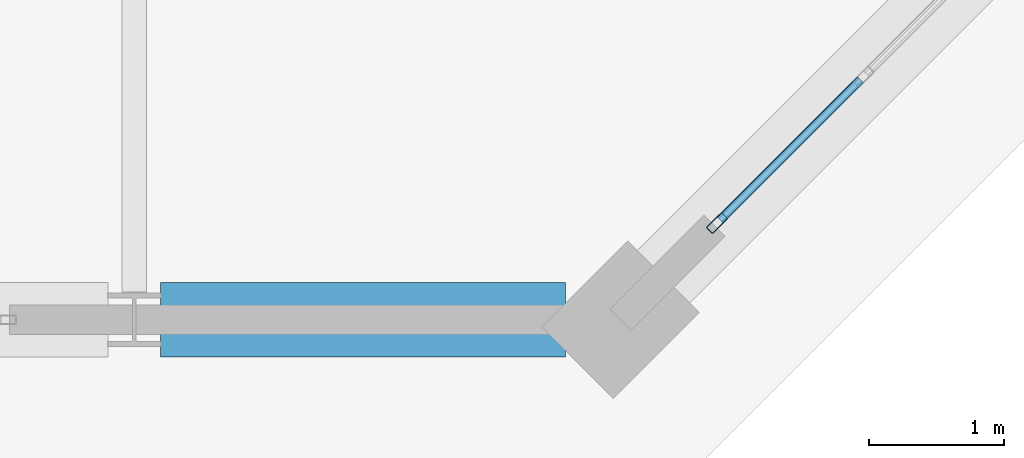
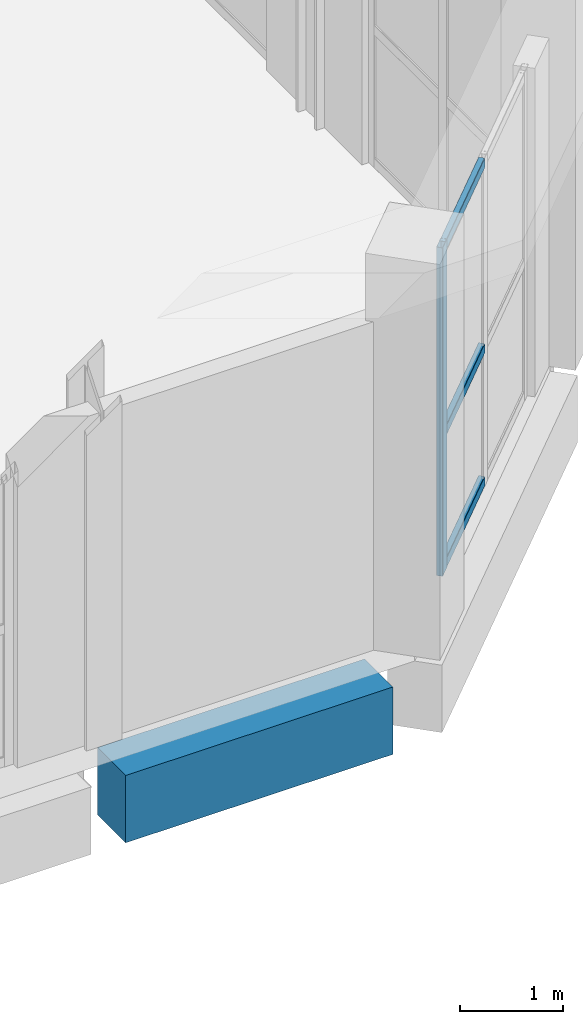
# One storey, part 18 of 36: 4 members, 1 beam, 1 element without a shape of its own.
"""IFC4 building model written with IfcOpenShell, lengths in metres."""

import ifcopenshell
import ifcopenshell.guid

model = None  # the IFC model being written
_history = None  # IfcOwnerHistory: only IFC2X3 demands one
_inside = {}  # id of a spatial element -> (the spatial element, [elements in it])
_under = {}  # id of a project, library or spatial element -> (it, [spatial elements below it])
_declared = {}  # id of a project -> (the project, [libraries it declares])
_typed = {}  # id of a type object -> (the type object, [elements of that type])
_made_of = {}  # id of a material, layer set ... -> (it, [elements and type objects made of it])


def new_model(schema):
    """Start an empty IFC model of exactly this schema.

    Asked for "IFC4X3", IfcOpenShell would pick the latest addendum, in which some entities
    have other attributes; the version numbers below select the first issue.
    IFC2X3 requires an IfcOwnerHistory on every rooted entity: one is made here for all.
    """
    global model, _history
    if schema == "IFC4X3":
        model = ifcopenshell.file(schema_version=(4, 3, 0, 0))
    else:
        model = ifcopenshell.file(schema=schema)
    _inside.clear()
    _under.clear()
    _declared.clear()
    _typed.clear()
    _made_of.clear()
    _history = None
    if model.schema == "IFC2X3":
        org = make("IfcOrganization", Name="unknown")
        user = make(
            "IfcPersonAndOrganization",
            ThePerson=make("IfcPerson", FamilyName="unknown"),
            TheOrganization=org,
        )
        app = make(
            "IfcApplication",
            ApplicationDeveloper=org,
            Version="unknown",
            ApplicationFullName="unknown",
            ApplicationIdentifier="unknown",
        )
        _history = make(
            "IfcOwnerHistory",
            OwningUser=user,
            OwningApplication=app,
            ChangeAction="ADDED",
            CreationDate=0,
        )
    return model


def make(cls, **values):
    """One entity of the class cls with the attributes given. An attribute that is None is left unset."""
    return model.create_entity(
        cls, **{name: value for name, value in values.items() if value is not None}
    )


def rooted(cls, **values):
    """An entity with a GlobalId (a new one), such as an element, a storey or a relation."""
    return make(cls, GlobalId=ifcopenshell.guid.new(), OwnerHistory=_history, **values)


def si_unit(unit_type, name, prefix=None):
    """IfcSIUnit, for example si_unit("LENGTHUNIT", "METRE", prefix="MILLI")."""
    return make("IfcSIUnit", UnitType=unit_type, Prefix=prefix, Name=name)


def assignment(units):
    """IfcUnitAssignment: the units of a project."""
    return None if units is None else make("IfcUnitAssignment", Units=units)


def point(xyz):
    """IfcCartesianPoint."""
    return None if xyz is None else make("IfcCartesianPoint", Coordinates=xyz)


def direction(xyz):
    """IfcDirection."""
    return None if xyz is None else make("IfcDirection", DirectionRatios=xyz)


def frame(location, z_axis=None, x_axis=None):
    """IfcAxis2Placement3D, a coordinate frame: its origin and axes. An axis left out is left unset."""
    return make(
        "IfcAxis2Placement3D",
        Location=point(location),
        Axis=direction(z_axis),
        RefDirection=direction(x_axis),
    )


def frame_2d(location, x_axis=None):
    """IfcAxis2Placement2D, a coordinate frame in the plane: its origin and x axis."""
    return make(
        "IfcAxis2Placement2D", Location=point(location), RefDirection=direction(x_axis)
    )


def origin():
    """The frame at (0, 0, 0) with its axes left unset."""
    return frame((0.0, 0.0, 0.0))


def origin_2d():
    """The frame at (0, 0) in the plane with its x axis left unset."""
    return frame_2d((0.0, 0.0))


def place(relative_to, where):
    """IfcLocalPlacement: puts the frame where relative to a parent placement (None: the world)."""
    return make(
        "IfcLocalPlacement", PlacementRelTo=relative_to, RelativePlacement=where
    )


def context(
    kind, dimensions, precision=None, world=None, true_north=None, identifier=None
):
    """IfcGeometricRepresentationContext, for example the 3D "Model" context."""
    return make(
        "IfcGeometricRepresentationContext",
        ContextIdentifier=identifier,
        ContextType=kind,
        CoordinateSpaceDimension=dimensions,
        Precision=precision,
        WorldCoordinateSystem=world,
        TrueNorth=true_north,
    )


def subcontext(parent, identifier, kind, view, scale=None):
    """IfcGeometricRepresentationSubContext, for example "Body" below "Model"."""
    return make(
        "IfcGeometricRepresentationSubContext",
        ContextIdentifier=identifier,
        ContextType=kind,
        ParentContext=parent,
        TargetScale=scale,
        TargetView=view,
    )


def project(units=None, contexts=None):
    """IfcProject with its units and contexts."""
    return rooted(
        "IfcProject",
        Name="project",
        RepresentationContexts=contexts,
        UnitsInContext=assignment(units),
    )


def spatial(cls, under=None, at=None, **own):
    """A site, building, storey or space (cls), placed at a placement, below another one or the project."""
    s = rooted(cls, ObjectPlacement=at, **own)
    if under is not None:
        _under.setdefault(under.id(), (under, []))[1].append(s)
    return s


def profile(cls, at=None, kind="AREA", **sizes):
    """A parametric profile (cls). Its sizes go by their IFC names, for example OverallWidth=200.0."""
    return make(cls, ProfileType=kind, Position=at, **sizes)


def rectangle(**sizes):
    """IfcRectangleProfileDef."""
    return profile("IfcRectangleProfileDef", **sizes)


def hollow_rectangle(**sizes):
    """IfcRectangleHollowProfileDef."""
    return profile("IfcRectangleHollowProfileDef", **sizes)


def extrude(swept, where, along, depth):
    """IfcExtrudedAreaSolid: the profile swept, set in the frame where, extruded along a direction by depth."""
    return make(
        "IfcExtrudedAreaSolid",
        SweptArea=swept,
        Position=where,
        ExtrudedDirection=direction(along),
        Depth=depth,
    )


def shape(context_of_items, identifier, shape_type, items):
    """IfcShapeRepresentation: the items that make up one representation, for example the "Body"."""
    return make(
        "IfcShapeRepresentation",
        ContextOfItems=context_of_items,
        RepresentationIdentifier=identifier,
        RepresentationType=shape_type,
        Items=items,
    )


def material(Name=None, Category=None):
    """IfcMaterial."""
    return make("IfcMaterial", Name=Name, Category=Category)


def layer(
    of_material, thickness, ventilated=None, Name=None, Category=None, Priority=None
):
    """IfcMaterialLayer: one layer of a wall or slab, of a material (None: an air gap)."""
    return make(
        "IfcMaterialLayer",
        Material=of_material,
        LayerThickness=thickness,
        IsVentilated=ventilated,
        Name=Name,
        Category=Category,
        Priority=Priority,
    )


def layer_set(layers, Name=None):
    """IfcMaterialLayerSet."""
    return make("IfcMaterialLayerSet", MaterialLayers=layers, LayerSetName=Name)


def material_profile(
    of_material, cross_section, Name=None, Category=None, Priority=None
):
    """IfcMaterialProfile: a cross section and its material."""
    return make(
        "IfcMaterialProfile",
        Name=Name,
        Material=of_material,
        Profile=cross_section,
        Priority=Priority,
        Category=Category,
    )


def profile_set(profiles, Name=None, composite=None):
    """IfcMaterialProfileSet."""
    return make(
        "IfcMaterialProfileSet",
        Name=Name,
        MaterialProfiles=profiles,
        CompositeProfile=composite,
    )


def made_of(thing, what):
    """Note that an element or type object is made of a material, layer set ...; save() writes the relation."""
    if what is not None:
        _made_of.setdefault(what.id(), (what, []))[1].append(thing)
    return thing


def type_object(cls, material=None, **own):
    """A type object (cls), such as IfcWallType, which elements share."""
    return made_of(rooted(cls, **own), material)


def element(
    cls,
    number,
    at=None,
    inside=None,
    cuts=None,
    type_object=None,
    material=None,
    context=None,
    identifier="Body",
    shape_type=None,
    held_by="IfcProductDefinitionShape",
    body=None,
    shapes=None,
    **own,
):
    """One element of the class cls, such as IfcWall. Its Tag is "e" and its number.

    at: its placement. inside: the storey or other place that contains it. cuts: it is an
    opening in that element (IfcRelVoidsElement). A single representation is given by context,
    identifier, shape_type and body (its items); several are given by shapes. held_by: the class
    of the entity that holds the representations. save() writes the other relations.
    """
    e = rooted(cls, Tag="e%d" % number, ObjectPlacement=at, **own)
    if body is not None:
        shapes = [shape(context, identifier, shape_type, body)]
    if shapes is not None:
        e.Representation = make(held_by, Representations=shapes)
    if inside is not None:
        _inside.setdefault(inside.id(), (inside, []))[1].append(e)
    if cuts is not None:
        rooted(
            "IfcRelVoidsElement", RelatingBuildingElement=cuts, RelatedOpeningElement=e
        )
    if type_object is not None:
        _typed.setdefault(type_object.id(), (type_object, []))[1].append(e)
    return made_of(e, material)


def aggregate(whole, parts):
    """IfcRelAggregates: a whole, such as a stair, and the parts it consists of."""
    return rooted("IfcRelAggregates", RelatingObject=whole, RelatedObjects=parts)


def save(model, path):
    """Write the relations noted so far, then the file.

    IfcRelAggregates (storeys below a building ...), IfcRelContainedInSpatialStructure (elements
    in a storey), IfcRelDefinesByType, IfcRelAssociatesMaterial and IfcRelDeclares: one each for
    every whole, place, type object, material and project.
    """
    for whole, parts in _under.values():
        aggregate(whole, parts)
    for where, things in _inside.values():
        rooted(
            "IfcRelContainedInSpatialStructure",
            RelatedElements=things,
            RelatingStructure=where,
        )
    for kind, things in _typed.values():
        rooted("IfcRelDefinesByType", RelatedObjects=things, RelatingType=kind)
    for what, things in _made_of.values():
        rooted("IfcRelAssociatesMaterial", RelatedObjects=things, RelatingMaterial=what)
    for by, libraries in _declared.values():
        rooted("IfcRelDeclares", RelatingContext=by, RelatedDefinitions=libraries)
    model.write(path)


model = new_model("IFC4")

# Units and contexts
model_context = context("Model", 3, precision=1e-05, world=origin(), true_north=direction((0.0, 1.0)))
body_context = subcontext(model_context, "Body", "Model", "MODEL_VIEW")
ifc_project = project(units=[si_unit("LENGTHUNIT", "METRE"), si_unit("AREAUNIT", "SQUARE_METRE"), si_unit("VOLUMEUNIT", "CUBIC_METRE"), si_unit("PLANEANGLEUNIT", "RADIAN"), si_unit("MASSUNIT", "GRAM", prefix="KILO")], contexts=[model_context])

# Site, building, storey
site_placement = place(None, origin())
site = spatial("IfcSite", under=ifc_project, at=site_placement, CompositionType="ELEMENT")
building_placement = place(site_placement, origin())
building = spatial("IfcBuilding", under=site, at=building_placement, Name="Kaelvorn Grand Hotel", CompositionType="ELEMENT")
storey_placement = place(building_placement, frame((0.0, 0.0, 305.699951171875)))
storey = spatial("IfcBuildingStorey", under=building, at=storey_placement, Name="L74", CompositionType="ELEMENT", Elevation=305.699951171875)

# Beam
ifc_material_1 = material(Name="Concrete C50/60", Category="concrete")
ifc_material_profile_1 = material_profile(ifc_material_1, rectangle(XDim=0.550048828125, YDim=0.800048828125, at=origin_2d()), Name="RC SPANDREL 550x800")
ifc_profile_set_1 = profile_set([ifc_material_profile_1], Name="Concrete C50/60")
beam_type = type_object("IfcBeamType", Name="BM-SP-550x800-C50", PredefinedType="SPANDREL", material=ifc_profile_set_1)
beam_placement = place(storey_placement, frame((67.9951171875, 7.0, -0.780029296875), z_axis=(1.0, 0.0, 0.0), x_axis=(0.0, 1.0, 0.0)))
element("IfcBeam", 1, at=beam_placement, inside=storey, type_object=beam_type, Name="L74 South Perimeter Spandrel 09", PredefinedType="SPANDREL", context=body_context, shape_type="SweptSolid", body=[
    extrude(rectangle(XDim=0.550048828125, YDim=0.800048828125, at=origin_2d()), origin(), (0.0, 0.0, 1.0), 3.0),
])

# Curtain wall, members
ifc_material_2 = material(Name="Anodised Aluminium", Category="aluminium")
ifc_layer = layer(ifc_material_2, 0.159912109375)
ifc_layer_set = layer_set([ifc_layer], Name="Anodised Aluminium")
curtain_wall_type = type_object("IfcCurtainWallType", Name="CW-SYS6", PredefinedType="NOTDEFINED", material=ifc_layer_set)
curtain_wall_placement = place(storey_placement, origin())
curtain_wall = element("IfcCurtainWall", 2, at=curtain_wall_placement, inside=storey, type_object=curtain_wall_type, Name="L74 Unitised Curtain Wall CW6 (CW-L74-SE)", PredefinedType="NOTDEFINED")
ifc_material_profile_2 = material_profile(ifc_material_2, hollow_rectangle(XDim=0.06494140625, YDim=0.159912109375, WallThickness=0.00341796875, InnerFilletRadius=0.00341796875, OuterFilletRadius=0.007080078125, at=origin_2d()), Name="ALU MULL 65x160")
ifc_profile_set_2 = profile_set([ifc_material_profile_2], Name="Anodised Aluminium")
member_type_1 = type_object("IfcMemberType", Name="CW-SYS6-MULL", PredefinedType="MULLION", material=ifc_profile_set_2)
member_1_placement = place(storey_placement, frame((72.115966796875, 7.716064453125, 0.0), z_axis=(0.0, 0.0, 1.0), x_axis=(-0.707106781187, 0.707106781187, 0.0)))
member_1 = element("IfcMember", 3, at=member_1_placement, type_object=member_type_1, Name="CW6 mullion 1", PredefinedType="MULLION", context=body_context, shape_type="SweptSolid", body=[
    extrude(hollow_rectangle(XDim=0.06494140625, YDim=0.159912109375, WallThickness=0.00341796875, InnerFilletRadius=0.00341796875, OuterFilletRadius=0.007080078125, at=origin_2d()), origin(), (0.0, 0.0, 1.0), 3.900146484375),
])
ifc_material_profile_3 = material_profile(ifc_material_2, hollow_rectangle(XDim=0.06494140625, YDim=0.1201171875, WallThickness=0.00341796875, InnerFilletRadius=0.00341796875, OuterFilletRadius=0.007080078125, at=origin_2d()), Name="ALU TRAN 65x120")
ifc_profile_set_3 = profile_set([ifc_material_profile_3], Name="Anodised Aluminium")
member_type_2 = type_object("IfcMemberType", Name="CW-SYS6-TRAN", PredefinedType="NOTDEFINED", material=ifc_profile_set_3)
member_2_placement = place(storey_placement, frame((72.138916015625, 7.739013671875, 0.06005859375), z_axis=(0.707106781187, 0.707106781187, 0.0), x_axis=(-0.707106781187, 0.707106781187, 0.0)))
member_2 = element("IfcMember", 4, at=member_2_placement, type_object=member_type_2, Name="CW6 transom 1.1", ObjectType="TRANSOM", PredefinedType="USERDEFINED", context=body_context, shape_type="SweptSolid", body=[
    extrude(hollow_rectangle(XDim=0.06494140625, YDim=0.1201171875, WallThickness=0.00341796875, InnerFilletRadius=0.00341796875, OuterFilletRadius=0.007080078125, at=origin_2d()), origin(), (0.0, 0.0, 1.0), 1.468017578125),
])
member_3_placement = place(storey_placement, frame((72.138916015625, 7.739013671875, 1.637939453125), z_axis=(0.707106781187, 0.707106781187, 0.0), x_axis=(-0.707106781187, 0.707106781187, 0.0)))
member_3 = element("IfcMember", 5, at=member_3_placement, type_object=member_type_2, Name="CW6 transom 1.2", ObjectType="TRANSOM", PredefinedType="USERDEFINED", context=body_context, shape_type="SweptSolid", body=[
    extrude(hollow_rectangle(XDim=0.06494140625, YDim=0.1201171875, WallThickness=0.00341796875, InnerFilletRadius=0.00341796875, OuterFilletRadius=0.007080078125, at=origin_2d()), origin(), (0.0, 0.0, 1.0), 1.468017578125),
])
member_4_placement = place(storey_placement, frame((72.138916015625, 7.739013671875, 3.840087890625), z_axis=(0.707106781187, 0.707106781187, 0.0), x_axis=(-0.707106781187, 0.707106781187, 0.0)))
member_4 = element("IfcMember", 6, at=member_4_placement, type_object=member_type_2, Name="CW6 transom 1.3", ObjectType="TRANSOM", PredefinedType="USERDEFINED", context=body_context, shape_type="SweptSolid", body=[
    extrude(hollow_rectangle(XDim=0.06494140625, YDim=0.1201171875, WallThickness=0.00341796875, InnerFilletRadius=0.00341796875, OuterFilletRadius=0.007080078125, at=origin_2d()), origin(), (0.0, 0.0, 1.0), 1.468017578125),
])
aggregate(curtain_wall, [member_1, member_2, member_3, member_4])

save(model, "model.ifc")
